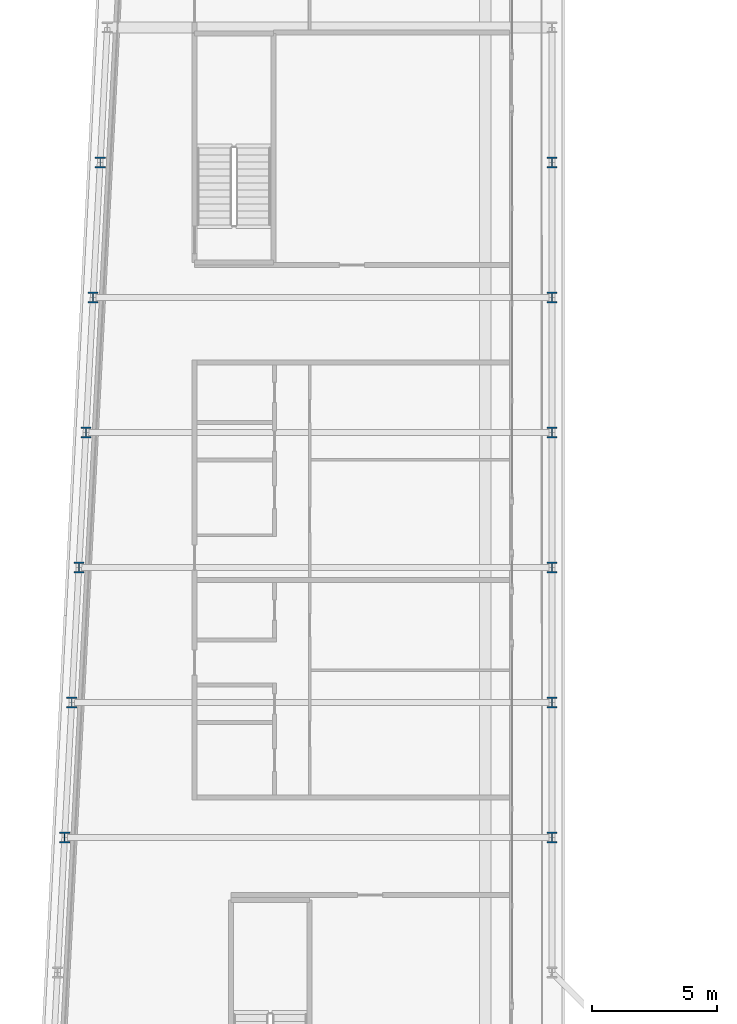
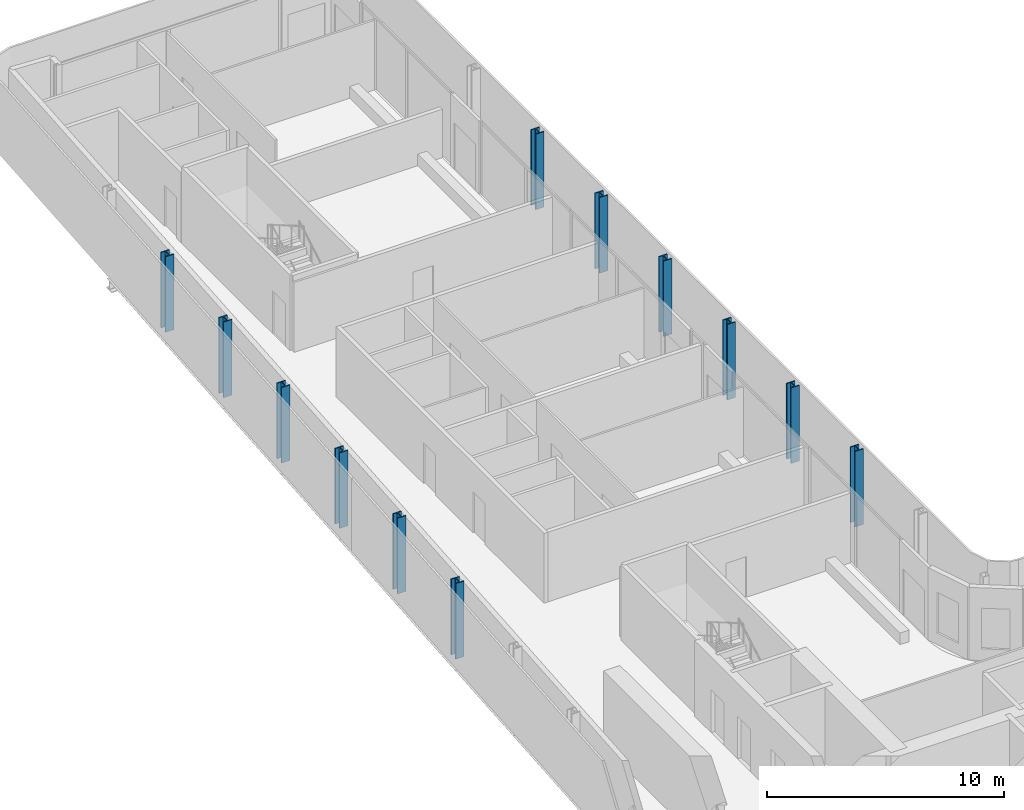
# One storey, part 3 of 30: 12 columns.
"""IFC4 building model written with IfcOpenShell, lengths in metres."""

from ifc_helpers import new_model, si_unit, direction, frame, origin, origin_2d, place, context, subcontext, project, spatial, i_section, extrude, material, material_profile, profile_set, type_object, element, save


model = new_model("IFC4")

# Units and contexts
model_context = context("Model", 3, precision=1e-05, world=origin(), true_north=direction((0.0, 1.0)))
body_context = subcontext(model_context, "Body", "Model", "MODEL_VIEW")
ifc_project = project(units=[si_unit("LENGTHUNIT", "METRE"), si_unit("AREAUNIT", "SQUARE_METRE"), si_unit("VOLUMEUNIT", "CUBIC_METRE"), si_unit("PLANEANGLEUNIT", "RADIAN"), si_unit("MASSUNIT", "GRAM", prefix="KILO")], contexts=[model_context])

# Site, building, storey
site_placement = place(None, origin())
site = spatial("IfcSite", under=ifc_project, at=site_placement, CompositionType="ELEMENT")
building_placement = place(site_placement, origin())
building = spatial("IfcBuilding", under=site, at=building_placement, Name="Kheshtan School and Residences Tower", CompositionType="ELEMENT")
storey_placement = place(building_placement, frame((0.0, 0.0, 195.5)))
storey = spatial("IfcBuildingStorey", under=building, at=storey_placement, Name="L46", CompositionType="ELEMENT", Elevation=195.5)

# Columns
ifc_material = material(Name="Steel ASTM A992 Grade 50", Category="steel")
ifc_material_profile = material_profile(ifc_material, i_section(OverallWidth=0.408935546875, OverallDepth=0.425048828125, WebThickness=0.03271484375, FlangeThickness=0.052490234375, FilletRadius=0.0126953125, at=origin_2d()), Name="W360x421")
ifc_profile_set = profile_set([ifc_material_profile], Name="Steel ASTM A992 Grade 50")
column_type = type_object("IfcColumnType", Name="Column C3 W360x421 ASTM A992 Grade 50", PredefinedType="COLUMN", material=ifc_profile_set)
for number, where, z_axis, x_axis, name in (
    (1, (28.10595703125, 56.39990234375, 0.0), (0.0, 0.0, 1.0), (1.0, 0.0, 0.0), "Column C080"),
    (2, (47.60009765625, 56.39990234375, 0.0), (0.0, 0.0, 1.0), (1.0, 0.0, 0.0), "Column C081"),
    (3, (28.389892578125, 61.800048828125, 0.0), (0.0, 0.0, 1.0), (1.0, 0.0, 0.0), "Column C082"),
    (4, (47.60009765625, 61.800048828125, 0.0), (0.0, 0.0, 1.0), (1.0, 0.0, 0.0), "Column C083"),
    (5, (28.674072265625, 67.199951171875, 0.0), (0.0, 0.0, 1.0), (1.0, 0.0, 0.0), "Column C084"),
    (6, (47.60009765625, 67.199951171875, 0.0), (0.0, 0.0, 1.0), (1.0, 0.0, 0.0), "Column C085"),
    (7, (28.9580078125, 72.60009765625, 0.0), (0.0, 0.0, 1.0), (1.0, 0.0, 0.0), "Column C086"),
    (8, (47.60009765625, 72.60009765625, 0.0), (0.0, 0.0, 1.0), (1.0, 0.0, 0.0), "Column C087"),
    (9, (29.242919921875, 78.0, 0.0), (0.0, 0.0, 1.0), (1.0, 0.0, 0.0), "Column C088"),
    (10, (47.60009765625, 78.0, 0.0), (0.0, 0.0, 1.0), (1.0, 0.0, 0.0), "Column C089"),
    (11, (29.527099609375, 83.39990234375, 0.0), (0.0, 0.0, 1.0), (1.0, 0.0, 0.0), "Column C090"),
    (12, (47.60009765625, 83.39990234375, 0.0), (0.0, 0.0, 1.0), (1.0, 0.0, 0.0), "Column C091"),
):
    element("IfcColumn", number, at=place(storey_placement, frame(where, z_axis=z_axis, x_axis=x_axis)), inside=storey, type_object=column_type, Name=name, PredefinedType="COLUMN", context=body_context, shape_type="SweptSolid", body=[
        extrude(i_section(OverallWidth=0.408935546875, OverallDepth=0.425048828125, WebThickness=0.03271484375, FlangeThickness=0.052490234375, FilletRadius=0.0126953125, at=origin_2d()), origin(), (0.0, 0.0, 1.0), 3.89990234375),
    ])

save(model, "model.ifc")
